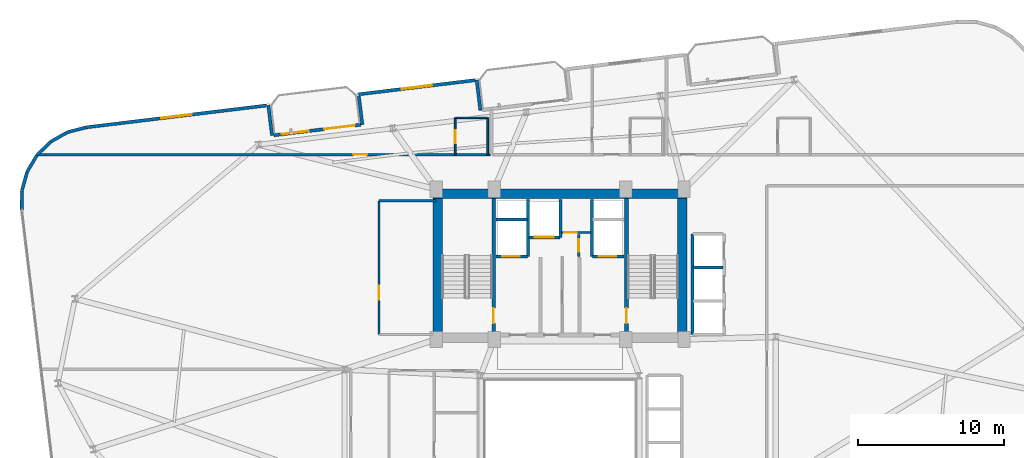
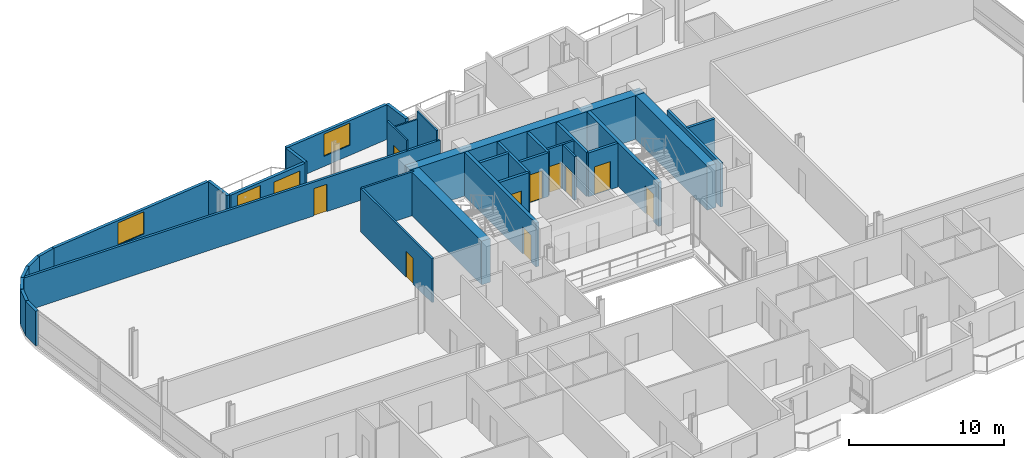
# One storey, part 17 of 23: 34 walls, 11 doors, 3 windows, 14 openings.
"""IFC4 building model written with IfcOpenShell, lengths in metres."""

from ifc_helpers import new_model, si_unit, direction, frame, frame_2d, origin, place, context, subcontext, project, spatial, rectangle, extrude, material, layer, layer_set, type_object, element, fill, save


model = new_model("IFC4")

# Units and contexts
model_context = context("Model", 3, precision=1e-05, world=origin(), true_north=direction((0.0, 1.0)))
body_context = subcontext(model_context, "Body", "Model", "MODEL_VIEW")
ifc_project = project(units=[si_unit("LENGTHUNIT", "METRE"), si_unit("AREAUNIT", "SQUARE_METRE"), si_unit("VOLUMEUNIT", "CUBIC_METRE"), si_unit("PLANEANGLEUNIT", "RADIAN"), si_unit("MASSUNIT", "GRAM", prefix="KILO")], contexts=[model_context])

# Site, building, storey
site_placement = place(None, origin())
site = spatial("IfcSite", under=ifc_project, at=site_placement, CompositionType="ELEMENT")
building_placement = place(site_placement, origin())
building = spatial("IfcBuilding", under=site, at=building_placement, Name="Varnelok Gate Tower", CompositionType="ELEMENT")
storey_placement = place(building_placement, frame((0.0, 0.0, 170.89990234375)))
storey = spatial("IfcBuildingStorey", under=building, at=storey_placement, Name="L43", CompositionType="ELEMENT", Elevation=170.89990234375)

# Wall, openings, door, window
ifc_material_1 = material(Name="Concrete C45/55", Category="concrete")
ifc_layer_1 = layer(ifc_material_1, 0.219970703125)
ifc_layer_set_1 = layer_set([ifc_layer_1], Name="Concrete C45/55")
wall_type_1 = type_object("IfcWallType", Name="EW-BALC-220", PredefinedType="SOLIDWALL", material=ifc_layer_set_1)
wall_1_placement = place(storey_placement, frame((19.556884765625, 42.7529296875, 0.0), z_axis=(0.0, 0.0, 1.0), x_axis=(0.992729951822, 0.120362962556, 0.0)))
wall_1 = element("IfcWall", 1, at=wall_1_placement, inside=storey, type_object=wall_type_1, Name="L43 North Terrace Envelope Wall 4", PredefinedType="SOLIDWALL", context=body_context, shape_type="SweptSolid", body=[
    extrude(rectangle(XDim=6.0, YDim=0.219970703125, at=frame_2d((3.0, 0.0))), origin(), (0.0, 0.0, 1.0), 2.72998046875),
])
opening_1_placement = place(wall_1_placement, frame((3.5, 0.0, 0.0)))
opening_1 = element("IfcOpeningElement", 2, at=opening_1_placement, cuts=wall_1, Name="Opening BD-2", PredefinedType="OPENING", context=body_context, shape_type="SweptSolid", body=[
    extrude(rectangle(XDim=2.10009765625, YDim=2.300048828125, at=frame_2d((1.050048828125, 1.14990234375))), frame((0.0, 0.119873046875, 0.0), z_axis=(0.0, -1.0, 0.0), x_axis=(1.0, 0.0, 0.0)), (0.0, 0.0, 1.0), 0.239990234375),
])
opening_2_placement = place(wall_1_placement, frame((0.550048828125, 0.0, 0.75)))
opening_2 = element("IfcOpeningElement", 3, at=opening_2_placement, cuts=wall_1, Name="Opening WN5", PredefinedType="OPENING", context=body_context, shape_type="SweptSolid", body=[
    extrude(rectangle(XDim=1.85009765625, YDim=1.75, at=frame_2d((0.925048828125, 0.875))), frame((0.0, 0.119873046875, 0.0), z_axis=(0.0, -1.0, 0.0), x_axis=(1.0, 0.0, 0.0)), (0.0, 0.0, 1.0), 0.239990234375),
])
ifc_material_2 = material(Name="Anodized Aluminum Alloy 6063-T6", Category="aluminium")
door_type_1 = type_object("IfcDoorType", Name="DR-EXT-SLID2100", OperationType="SLIDING_TO_LEFT", PredefinedType="DOOR", material=ifc_material_2)
door_1_placement = place(opening_1_placement, origin())
door_1 = element("IfcDoor", 4, at=door_1_placement, inside=storey, type_object=door_type_1, Name="L43 North Balcony Glazed Door 4", OperationType="SLIDING_TO_LEFT", OverallHeight=2.300048828125, OverallWidth=2.10009765625, PredefinedType="DOOR", context=body_context, shape_type="SweptSolid", body=[
    extrude(rectangle(XDim=2.10009765625, YDim=2.300048828125, at=frame_2d((1.050048828125, 1.14990234375))), frame((0.0, 0.02490234375, 0.0), z_axis=(0.0, -1.0, 0.0), x_axis=(1.0, 0.0, 0.0)), (0.0, 0.0, 1.0), 0.050048828125),
])
fill(opening_1, door_1)
ifc_material_3 = material(Name="Low-E Laminated Double Glazing IGU", Category="glass")
window_type_1 = type_object("IfcWindowType", Name="WN-RES-1850", PartitioningType="SINGLE_PANEL", PredefinedType="WINDOW", material=ifc_material_3)
window_1_placement = place(opening_2_placement, origin())
window_1 = element("IfcWindow", 5, at=window_1_placement, inside=storey, type_object=window_type_1, Name="L43 North Vision Window 4.1", OverallHeight=1.75, OverallWidth=1.85009765625, PartitioningType="SINGLE_PANEL", PredefinedType="WINDOW", context=body_context, shape_type="SweptSolid", body=[
    extrude(rectangle(XDim=1.85009765625, YDim=1.75, at=frame_2d((0.925048828125, 0.875))), frame((0.0, 0.030029296875, 0.0), z_axis=(0.0, -1.0, 0.0), x_axis=(1.0, 0.0, 0.0)), (0.0, 0.0, 1.0), 0.06005859375),
])
fill(opening_2, window_1)

# Wall
wall_2_placement = place(storey_placement, frame((33.734375, 44.46142578125, 0.0), z_axis=(0.0, 0.0, 1.0), x_axis=(-0.120327895535, 0.992734202874, 0.0)))
element("IfcWall", 6, at=wall_2_placement, inside=storey, type_object=wall_type_1, Name="L43 Perimeter Facade Closure Wall 34", PredefinedType="SOLIDWALL", context=body_context, shape_type="SweptSolid", body=[
    extrude(rectangle(XDim=2.099853515625, YDim=0.219970703125, at=frame_2d((1.0498046875, 0.0))), origin(), (0.0, 0.0, 1.0), 2.72998046875),
])

# Wall, opening, window
wall_3_placement = place(storey_placement, frame((33.357421875, 46.53125, 0.0), z_axis=(0.0, 0.0, 1.0), x_axis=(-0.992731032022, -0.120354052946, 0.0)))
wall_3 = element("IfcWall", 7, at=wall_3_placement, inside=storey, type_object=wall_type_1, Name="L43 Perimeter Facade Closure Wall 35", PredefinedType="SOLIDWALL", context=body_context, shape_type="SweptSolid", body=[
    extrude(rectangle(XDim=8.034912109375, YDim=0.219970703125, at=frame_2d((4.017578125, 0.0))), origin(), (0.0, 0.0, 1.0), 2.72998046875),
])
opening_3_placement = place(wall_3_placement, frame((2.967529296875, 0.0, 0.800048828125)))
opening_3 = element("IfcOpeningElement", 8, at=opening_3_placement, cuts=wall_3, Name="Opening WN4", PredefinedType="OPENING", context=body_context, shape_type="SweptSolid", body=[
    extrude(rectangle(XDim=2.10009765625, YDim=1.75, at=frame_2d((1.050048828125, 0.875))), frame((0.0, 0.119873046875, 0.0), z_axis=(0.0, -1.0, 0.0), x_axis=(1.0, 0.0, 0.0)), (0.0, 0.0, 1.0), 0.239990234375),
])
window_type_2 = type_object("IfcWindowType", Name="WN-SUI-2100", PartitioningType="SINGLE_PANEL", PredefinedType="WINDOW", material=ifc_material_3)
window_2_placement = place(opening_3_placement, origin())
window_2 = element("IfcWindow", 9, at=window_2_placement, inside=storey, type_object=window_type_2, Name="L43 Perimeter Vision Window 35", OverallHeight=1.75, OverallWidth=2.10009765625, PartitioningType="SINGLE_PANEL", PredefinedType="WINDOW", context=body_context, shape_type="SweptSolid", body=[
    extrude(rectangle(XDim=2.10009765625, YDim=1.75, at=frame_2d((1.050048828125, 0.875))), frame((0.0, 0.030029296875, 0.0), z_axis=(0.0, -1.0, 0.0), x_axis=(1.0, 0.0, 0.0)), (0.0, 0.0, 1.0), 0.06005859375),
])
fill(opening_3, window_2)

# Walls
wall_4_placement = place(storey_placement, frame((25.39599609375, 45.440185546875, 0.0), z_axis=(0.0, 0.0, 1.0), x_axis=(0.120275992932, -0.992740492538, 0.0)))
element("IfcWall", 10, at=wall_4_placement, inside=storey, type_object=wall_type_1, Name="L43 Perimeter Facade Closure Wall 36", PredefinedType="SOLIDWALL", context=body_context, shape_type="SweptSolid", body=[
    extrude(rectangle(XDim=1.97509765625, YDim=0.219970703125, at=frame_2d((0.987548828125, 0.0))), origin(), (0.0, 0.0, 1.0), 2.72998046875),
])
wall_5_placement = place(storey_placement, frame((19.43896484375, 42.728515625, 0.0), z_axis=(0.0, 0.0, 1.0), x_axis=(-0.120327895535, 0.992734202874, 0.0)))
element("IfcWall", 11, at=wall_5_placement, inside=storey, type_object=wall_type_1, Name="L43 Perimeter Facade Closure Wall 37", PredefinedType="SOLIDWALL", context=body_context, shape_type="SweptSolid", body=[
    extrude(rectangle(XDim=2.099853515625, YDim=0.219970703125, at=frame_2d((1.0498046875, 0.0))), origin(), (0.0, 0.0, 1.0), 2.72998046875),
])

# Wall, opening, window
wall_6_placement = place(storey_placement, frame((19.06201171875, 44.798095703125, 0.0), z_axis=(0.0, 0.0, 1.0), x_axis=(-0.992733569027, -0.120333124809, 0.0)))
wall_6 = element("IfcWall", 12, at=wall_6_placement, inside=storey, type_object=wall_type_1, Name="L43 Perimeter Facade Closure Wall 38", PredefinedType="SOLIDWALL", context=body_context, shape_type="SweptSolid", body=[
    extrude(rectangle(XDim=12.447021484375, YDim=0.219970703125, at=frame_2d((6.2236328125, 0.0))), origin(), (0.0, 0.0, 1.0), 2.72998046875),
])
opening_4_placement = place(wall_6_placement, frame((5.173583984375, 0.0, 0.800048828125)))
opening_4 = element("IfcOpeningElement", 13, at=opening_4_placement, cuts=wall_6, Name="Opening WN4", PredefinedType="OPENING", context=body_context, shape_type="SweptSolid", body=[
    extrude(rectangle(XDim=2.10009765625, YDim=1.75, at=frame_2d((1.050048828125, 0.875))), frame((0.0, 0.119873046875, 0.0), z_axis=(0.0, -1.0, 0.0), x_axis=(1.0, 0.0, 0.0)), (0.0, 0.0, 1.0), 0.239990234375),
])
window_3_placement = place(opening_4_placement, origin())
window_3 = element("IfcWindow", 14, at=window_3_placement, inside=storey, type_object=window_type_2, Name="L43 Perimeter Vision Window 38", OverallHeight=1.75, OverallWidth=2.10009765625, PartitioningType="SINGLE_PANEL", PredefinedType="WINDOW", context=body_context, shape_type="SweptSolid", body=[
    extrude(rectangle(XDim=2.10009765625, YDim=1.75, at=frame_2d((1.050048828125, 0.875))), frame((0.0, 0.030029296875, 0.0), z_axis=(0.0, -1.0, 0.0), x_axis=(1.0, 0.0, 0.0)), (0.0, 0.0, 1.0), 0.06005859375),
])
fill(opening_4, window_3)

# Walls
wall_7_placement = place(storey_placement, frame((6.68115234375, 43.294189453125, 0.0), z_axis=(0.0, 0.0, 1.0), x_axis=(-0.968496788899, -0.2490260426, 0.0)))
element("IfcWall", 15, at=wall_7_placement, inside=storey, type_object=wall_type_1, Name="L43 Perimeter Facade Closure Wall 39", PredefinedType="SOLIDWALL", context=body_context, shape_type="SweptSolid", body=[
    extrude(rectangle(XDim=1.308837890625, YDim=0.219970703125, at=frame_2d((0.654296875, 0.0))), origin(), (0.0, 0.0, 1.0), 2.72998046875),
])
for number, where, z_axis, x_axis, name in (
    (16, (5.391845703125, 42.9560546875, 0.0), (0.0, 0.0, 1.0), (-0.87105877335, -0.491178799797, 0.0), "L43 Perimeter Facade Closure Wall 40"),
    (17, (4.24072265625, 42.299560546875, 0.0), (0.0, 0.0, 1.0), (-0.714389219205, -0.699748557329, 0.0), "L43 Perimeter Facade Closure Wall 41"),
):
    element("IfcWall", number, at=place(storey_placement, frame(where, z_axis=z_axis, x_axis=x_axis)), inside=storey, type_object=wall_type_1, Name=name, PredefinedType="SOLIDWALL", context=body_context, shape_type="SweptSolid", body=[
        extrude(rectangle(XDim=1.30078125, YDim=0.219970703125, at=frame_2d((0.650390625, 0.0))), origin(), (0.0, 0.0, 1.0), 2.72998046875),
    ])
wall_8_placement = place(storey_placement, frame((3.298583984375, 41.367919921875, 0.0), z_axis=(0.0, 0.0, 1.0), x_axis=(-0.508716668029, -0.860933999601, 0.0)))
element("IfcWall", 18, at=wall_8_placement, inside=storey, type_object=wall_type_1, Name="L43 Perimeter Facade Closure Wall 42", PredefinedType="SOLIDWALL", context=body_context, shape_type="SweptSolid", body=[
    extrude(rectangle(XDim=1.301025390625, YDim=0.219970703125, at=frame_2d((0.650390625, 0.0))), origin(), (0.0, 0.0, 1.0), 2.72998046875),
])
for number, where, z_axis, x_axis, name in (
    (19, (2.630126953125, 40.223876953125, 0.0), (0.0, 0.0, 1.0), (-0.26876657226, -0.963205341366, 0.0), "L43 Perimeter Facade Closure Wall 43"),
    (20, (2.2802734375, 38.94580078125, 0.0), (0.0, 0.0, 1.0), (-0.01013461463, -0.999948643474, 0.0), "L43 Perimeter Facade Closure Wall 44"),
):
    element("IfcWall", number, at=place(storey_placement, frame(where, z_axis=z_axis, x_axis=x_axis)), inside=storey, type_object=wall_type_1, Name=name, PredefinedType="SOLIDWALL", context=body_context, shape_type="SweptSolid", body=[
        extrude(rectangle(XDim=1.30078125, YDim=0.219970703125, at=frame_2d((0.650390625, 0.0))), origin(), (0.0, 0.0, 1.0), 2.72998046875),
    ])

# Wall, opening, door
ifc_material_4 = material(Name="Gypsum Plasterboard Acoustic Partition", Category="gypsum")
ifc_layer_2 = layer(ifc_material_4, 0.179931640625)
ifc_layer_set_2 = layer_set([ifc_layer_2], Name="Gypsum Plasterboard Acoustic Partition")
wall_type_2 = type_object("IfcWallType", Name="PW-CORR-180", PredefinedType="PARTITIONING", material=ifc_layer_set_2)
wall_9_placement = place(storey_placement, frame((3.39306640625, 41.429931640625, 0.0), z_axis=(0.0, 0.0, 1.0), x_axis=(1.0, 0.0, 0.0)))
wall_9 = element("IfcWall", 21, at=wall_9_placement, inside=storey, type_object=wall_type_2, Name="Interior Partition", PredefinedType="PARTITIONING", context=body_context, shape_type="SweptSolid", body=[
    extrude(rectangle(XDim=31.02685546875, YDim=0.179931640625, at=frame_2d((15.513427734375, 0.0))), origin(), (0.0, 0.0, 1.0), 2.662109375),
])
opening_5_placement = place(wall_9_placement, frame((21.621337890625, 0.0, 0.0)))
opening_5 = element("IfcOpeningElement", 22, at=opening_5_placement, cuts=wall_9, Name="Opening D-HT", PredefinedType="OPENING", context=body_context, shape_type="SweptSolid", body=[
    extrude(rectangle(XDim=0.949951171875, YDim=2.14990234375, at=frame_2d((0.47509765625, 1.074951171875))), frame((0.0, 0.099853515625, 0.0), z_axis=(0.0, -1.0, 0.0), x_axis=(1.0, 0.0, 0.0)), (0.0, 0.0, 1.0), 0.199951171875),
])
ifc_material_5 = material(Name="Engineered Hardwood Timber", Category="wood")
door_type_2 = type_object("IfcDoorType", Name="DR-HTL-950", OperationType="NOTDEFINED", PredefinedType="DOOR", material=ifc_material_5)
door_2_placement = place(opening_5_placement, origin())
door_2 = element("IfcDoor", 23, at=door_2_placement, inside=storey, type_object=door_type_2, Name="L43 Guest Room 07 Entrance Door", OperationType="SINGLE_SWING_RIGHT", OverallHeight=2.14990234375, OverallWidth=0.949951171875, PredefinedType="DOOR", context=body_context, shape_type="SweptSolid", body=[
    extrude(rectangle(XDim=0.949951171875, YDim=2.14990234375, at=frame_2d((0.47509765625, 1.074951171875))), frame((0.0, 0.02490234375, 0.0), z_axis=(0.0, -1.0, 0.0), x_axis=(1.0, 0.0, 0.0)), (0.0, 0.0, 1.0), 0.050048828125),
])
fill(opening_5, door_2)

# Wall
ifc_layer_3 = layer(ifc_material_4, 0.114990234375)
ifc_layer_set_3 = layer_set([ifc_layer_3], Name="Gypsum Plasterboard Acoustic Partition")
wall_type_3 = type_object("IfcWallType", Name="PW-ENS-125", PredefinedType="PARTITIONING", material=ifc_layer_set_3)
wall_10_placement = place(storey_placement, frame((32.050048828125, 43.949951171875, 0.0), z_axis=(0.0, 0.0, 1.0), x_axis=(1.0, 0.0, 0.0)))
element("IfcWall", 24, at=wall_10_placement, inside=storey, type_object=wall_type_3, Name="Interior Partition", PredefinedType="PARTITIONING", context=body_context, shape_type="SweptSolid", body=[
    extrude(rectangle(XDim=2.14990234375, YDim=0.114990234375, at=frame_2d((1.074951171875, 0.0))), origin(), (0.0, 0.0, 1.0), 2.82421875),
])

# Wall, opening, door
wall_11_placement = place(storey_placement, frame((32.010009765625, 41.429931640625, 0.0), z_axis=(0.0, 0.0, 1.0), x_axis=(0.0, 1.0, 0.0)))
wall_11 = element("IfcWall", 25, at=wall_11_placement, inside=storey, type_object=wall_type_3, Name="Interior Partition", PredefinedType="PARTITIONING", context=body_context, shape_type="SweptSolid", body=[
    extrude(rectangle(XDim=2.52001953125, YDim=0.114990234375, at=frame_2d((1.260009765625, 0.0))), origin(), (0.0, 0.0, 1.0), 3.4501953125),
])
opening_6_placement = place(wall_11_placement, frame((0.760009765625, 0.0, 0.0)))
opening_6 = element("IfcOpeningElement", 26, at=opening_6_placement, cuts=wall_11, Name="Opening D-WC", PredefinedType="OPENING", context=body_context, shape_type="SweptSolid", body=[
    extrude(rectangle(XDim=0.89990234375, YDim=2.050048828125, at=frame_2d((0.449951171875, 1.02490234375))), frame((0.0, 0.0673828125, 0.0), z_axis=(0.0, -1.0, 0.0), x_axis=(1.0, 0.0, 0.0)), (0.0, 0.0, 1.0), 0.135009765625),
])
door_type_3 = type_object("IfcDoorType", Name="DR-BATH-900", OperationType="NOTDEFINED", PredefinedType="DOOR", material=ifc_material_5)
door_3_placement = place(opening_6_placement, origin())
door_3 = element("IfcDoor", 27, at=door_3_placement, inside=storey, type_object=door_type_3, Name="L43 North En-Suite 07 Door", OperationType="SINGLE_SWING_LEFT", OverallHeight=2.050048828125, OverallWidth=0.89990234375, PredefinedType="DOOR", context=body_context, shape_type="SweptSolid", body=[
    extrude(rectangle(XDim=0.89990234375, YDim=2.050048828125, at=frame_2d((0.449951171875, 1.02490234375))), frame((0.0, 0.02490234375, 0.0), z_axis=(0.0, -1.0, 0.0), x_axis=(1.0, 0.0, 0.0)), (0.0, 0.0, 1.0), 0.050048828125),
])
fill(opening_6, door_3)

# Wall
wall_12_placement = place(storey_placement, frame((34.239990234375, 41.429931640625, 0.0), z_axis=(0.0, 0.0, 1.0), x_axis=(0.0, 1.0, 0.0)))
element("IfcWall", 28, at=wall_12_placement, inside=storey, type_object=wall_type_3, Name="Interior Partition", PredefinedType="PARTITIONING", context=body_context, shape_type="SweptSolid", body=[
    extrude(rectangle(XDim=2.52001953125, YDim=0.114990234375, at=frame_2d((1.260009765625, 0.0))), origin(), (0.0, 0.0, 1.0), 3.4501953125),
])

# Wall, opening, door
ifc_layer_4 = layer(ifc_material_4, 0.14990234375)
ifc_layer_set_4 = layer_set([ifc_layer_4], Name="Gypsum Plasterboard Acoustic Partition")
wall_type_4 = type_object("IfcWallType", Name="PW-PART-150", PredefinedType="PARTITIONING", material=ifc_layer_set_4)
wall_13_placement = place(storey_placement, frame((39.300048828125, 36.080078125, 0.0), z_axis=(0.0, 0.0, 1.0), x_axis=(1.0, 0.0, 0.0)))
wall_13 = element("IfcWall", 29, at=wall_13_placement, inside=storey, type_object=wall_type_4, Name="L43 Electrical Closet South Wall", PredefinedType="PARTITIONING", context=body_context, shape_type="SweptSolid", body=[
    extrude(rectangle(XDim=2.02001953125, YDim=0.14990234375, at=frame_2d((1.010009765625, 0.0))), origin(), (0.0, 0.0, 1.0), 3.4501953125),
])
opening_7_placement = place(wall_13_placement, frame((0.179931640625, 0.0, 0.0)))
opening_7 = element("IfcOpeningElement", 30, at=opening_7_placement, cuts=wall_13, Name="Opening D-RS", PredefinedType="OPENING", context=body_context, shape_type="SweptSolid", body=[
    extrude(rectangle(XDim=0.85009765625, YDim=2.050048828125, at=frame_2d((0.425048828125, 1.02490234375))), frame((0.0, 0.0849609375, 0.0), z_axis=(0.0, -1.0, 0.0), x_axis=(1.0, 0.0, 0.0)), (0.0, 0.0, 1.0), 0.169921875),
])
ifc_material_6 = material(Name="Galvanized Steel Grade S350GD", Category="steel")
door_type_4 = type_object("IfcDoorType", Name="DR-RISER-850", OperationType="NOTDEFINED", PredefinedType="DOOR", material=ifc_material_6)
door_4_placement = place(opening_7_placement, origin())
door_4 = element("IfcDoor", 31, at=door_4_placement, inside=storey, type_object=door_type_4, Name="L43 Electrical Closet Door", OperationType="SINGLE_SWING_RIGHT", OverallHeight=2.050048828125, OverallWidth=0.85009765625, PredefinedType="DOOR", context=body_context, shape_type="SweptSolid", body=[
    extrude(rectangle(XDim=0.85009765625, YDim=2.050048828125, at=frame_2d((0.425048828125, 1.02490234375))), frame((0.0, 0.02490234375, 0.0), z_axis=(0.0, -1.0, 0.0), x_axis=(1.0, 0.0, 0.0)), (0.0, 0.0, 1.0), 0.050048828125),
])
fill(opening_7, door_4)

wall_14_placement = place(storey_placement, frame((40.47998046875, 34.43994140625, 0.0), z_axis=(0.0, 0.0, 1.0), x_axis=(0.0, 1.0, 0.0)))
wall_14 = element("IfcWall", 32, at=wall_14_placement, inside=storey, type_object=wall_type_4, Name="L43 Telecoms Closet West Wall", PredefinedType="PARTITIONING", context=body_context, shape_type="SweptSolid", body=[
    extrude(rectangle(XDim=1.52001953125, YDim=0.14990234375, at=frame_2d((0.760009765625, 0.0))), origin(), (0.0, 0.0, 1.0), 3.4501953125),
])
opening_8_placement = place(wall_14_placement, frame((0.320068359375, 0.0, 0.0)))
opening_8 = element("IfcOpeningElement", 33, at=opening_8_placement, cuts=wall_14, Name="Opening D-RS", PredefinedType="OPENING", context=body_context, shape_type="SweptSolid", body=[
    extrude(rectangle(XDim=0.85009765625, YDim=2.050048828125, at=frame_2d((0.425048828125, 1.02490234375))), frame((0.0, 0.0849609375, 0.0), z_axis=(0.0, -1.0, 0.0), x_axis=(1.0, 0.0, 0.0)), (0.0, 0.0, 1.0), 0.169921875),
])
door_5_placement = place(opening_8_placement, origin())
door_5 = element("IfcDoor", 34, at=door_5_placement, inside=storey, type_object=door_type_4, Name="L43 Telecoms Closet Door", OperationType="SINGLE_SWING_LEFT", OverallHeight=2.050048828125, OverallWidth=0.85009765625, PredefinedType="DOOR", context=body_context, shape_type="SweptSolid", body=[
    extrude(rectangle(XDim=0.85009765625, YDim=2.050048828125, at=frame_2d((0.425048828125, 1.02490234375))), frame((0.0, 0.02490234375, 0.0), z_axis=(0.0, -1.0, 0.0), x_axis=(1.0, 0.0, 0.0)), (0.0, 0.0, 1.0), 0.050048828125),
])
fill(opening_8, door_5)

# Wall
wall_15_placement = place(storey_placement, frame((26.780029296875, 38.260009765625, 0.0), z_axis=(0.0, 0.0, 1.0), x_axis=(1.0, 0.0, 0.0)))
element("IfcWall", 35, at=wall_15_placement, inside=storey, type_object=wall_type_4, Name="Interior Partition", PredefinedType="PARTITIONING", context=body_context, shape_type="SweptSolid", body=[
    extrude(rectangle(XDim=3.89990234375, YDim=0.14990234375, at=frame_2d((1.949951171875, 0.0))), origin(), (0.0, 0.0, 1.0), 3.4501953125),
])

# Wall, opening, door
wall_16_placement = place(storey_placement, frame((26.780029296875, 29.080078125, 0.0), z_axis=(0.0, 0.0, 1.0), x_axis=(0.0, 1.0, 0.0)))
wall_16 = element("IfcWall", 36, at=wall_16_placement, inside=storey, type_object=wall_type_4, Name="Interior Partition", PredefinedType="PARTITIONING", context=body_context, shape_type="SweptSolid", body=[
    extrude(rectangle(XDim=9.179931640625, YDim=0.14990234375, at=frame_2d((4.58984375, 0.0))), origin(), (0.0, 0.0, 1.0), 3.4501953125),
])
opening_9_placement = place(wall_16_placement, frame((2.39990234375, 0.0, 0.0)))
opening_9 = element("IfcOpeningElement", 37, at=opening_9_placement, cuts=wall_16, Name="Opening D-I2", PredefinedType="OPENING", context=body_context, shape_type="SweptSolid", body=[
    extrude(rectangle(XDim=0.949951171875, YDim=2.050048828125, at=frame_2d((0.47509765625, 1.02490234375))), frame((0.0, 0.0849609375, 0.0), z_axis=(0.0, -1.0, 0.0), x_axis=(1.0, 0.0, 0.0)), (0.0, 0.0, 1.0), 0.169921875),
])
door_type_5 = type_object("IfcDoorType", Name="DR-INT-950", OperationType="NOTDEFINED", PredefinedType="DOOR", material=ifc_material_5)
door_6_placement = place(opening_9_placement, origin())
door_6 = element("IfcDoor", 38, at=door_6_placement, inside=storey, type_object=door_type_5, Name="L43 Reclaimed Housekeeping Door", OperationType="SINGLE_SWING_RIGHT", OverallHeight=2.050048828125, OverallWidth=0.949951171875, PredefinedType="DOOR", context=body_context, shape_type="SweptSolid", body=[
    extrude(rectangle(XDim=0.949951171875, YDim=2.050048828125, at=frame_2d((0.47509765625, 1.02490234375))), frame((0.0, 0.02490234375, 0.0), z_axis=(0.0, -1.0, 0.0), x_axis=(1.0, 0.0, 0.0)), (0.0, 0.0, 1.0), 0.050048828125),
])
fill(opening_9, door_6)

ifc_material_7 = material(Name="Concrete C35/45", Category="concrete")
ifc_layer_5 = layer(ifc_material_7, 0.199951171875)
ifc_layer_set_5 = layer_set([ifc_layer_5], Name="Concrete C35/45")
wall_type_5 = type_object("IfcWallType", Name="PW-SHAFT-200", PredefinedType="PARTITIONING", material=ifc_layer_set_5)
wall_17_placement = place(storey_placement, frame((34.800048828125, 34.43994140625, 0.0), z_axis=(0.0, 0.0, 1.0), x_axis=(1.0, 0.0, 0.0)))
wall_17 = element("IfcWall", 39, at=wall_17_placement, inside=storey, type_object=wall_type_5, Name="L43 FF1 Shaft Front Wall", PredefinedType="PARTITIONING", context=body_context, shape_type="SweptSolid", body=[
    extrude(rectangle(XDim=2.179931640625, YDim=0.199951171875, at=frame_2d((1.08984375, 0.0))), origin(), (0.0, 0.0, 1.0), 3.4501953125),
])
opening_10_placement = place(wall_17_placement, frame((0.419921875, 0.0, 0.0)))
opening_10 = element("IfcOpeningElement", 40, at=opening_10_placement, cuts=wall_17, Name="Opening LD-FF1", PredefinedType="OPENING", context=body_context, shape_type="SweptSolid", body=[
    extrude(rectangle(XDim=1.199951171875, YDim=2.199951171875, at=frame_2d((0.60009765625, 1.10009765625))), frame((0.0, 0.10986328125, 0.0), z_axis=(0.0, -1.0, 0.0), x_axis=(1.0, 0.0, 0.0)), (0.0, 0.0, 1.0), 0.219970703125),
])
door_type_6 = type_object("IfcDoorType", Name="DR-LIFT-FF1200", OperationType="SLIDING_TO_LEFT", PredefinedType="DOOR", material=ifc_material_6)
door_7_placement = place(opening_10_placement, origin())
door_7 = element("IfcDoor", 41, at=door_7_placement, inside=storey, type_object=door_type_6, Name="L43 Firefighting Lift Landing Door LD-FF1", OperationType="SLIDING_TO_LEFT", OverallHeight=2.199951171875, OverallWidth=1.199951171875, PredefinedType="DOOR", context=body_context, shape_type="SweptSolid", body=[
    extrude(rectangle(XDim=1.199951171875, YDim=2.199951171875, at=frame_2d((0.60009765625, 1.10009765625))), frame((0.0, 0.02490234375, 0.0), z_axis=(0.0, -1.0, 0.0), x_axis=(1.0, 0.0, 0.0)), (0.0, 0.0, 1.0), 0.050048828125),
])
fill(opening_10, door_7)

# Walls
wall_18_placement = place(storey_placement, frame((34.800048828125, 36.97998046875, 0.0), z_axis=(0.0, 0.0, 1.0), x_axis=(1.0, 0.0, 0.0)))
element("IfcWall", 42, at=wall_18_placement, inside=storey, type_object=wall_type_5, Name="L43 FF1 Shaft North Wall", PredefinedType="PARTITIONING", context=body_context, shape_type="SweptSolid", body=[
    extrude(rectangle(XDim=2.179931640625, YDim=0.199951171875, at=frame_2d((1.08984375, 0.0))), origin(), (0.0, 0.0, 1.0), 3.4501953125),
])
wall_19_placement = place(storey_placement, frame((37.0, 34.43994140625, 0.0), z_axis=(0.0, 0.0, 1.0), x_axis=(0.0, 1.0, 0.0)))
element("IfcWall", 43, at=wall_19_placement, inside=storey, type_object=wall_type_5, Name="L43 FF1 Shaft Side Wall", PredefinedType="PARTITIONING", context=body_context, shape_type="SweptSolid", body=[
    extrude(rectangle(XDim=3.900146484375, YDim=0.199951171875, at=frame_2d((1.9501953125, 0.0))), origin(), (0.0, 0.0, 1.0), 3.4501953125),
])

# Wall, opening, door
wall_20_placement = place(storey_placement, frame((41.419921875, 34.43994140625, 0.0), z_axis=(0.0, 0.0, 1.0), x_axis=(1.0, 0.0, 0.0)))
wall_20 = element("IfcWall", 44, at=wall_20_placement, inside=storey, type_object=wall_type_5, Name="L43 FF2 Shaft Front Wall", PredefinedType="PARTITIONING", context=body_context, shape_type="SweptSolid", body=[
    extrude(rectangle(XDim=2.18017578125, YDim=0.199951171875, at=frame_2d((1.090087890625, 0.0))), origin(), (0.0, 0.0, 1.0), 3.4501953125),
])
opening_11_placement = place(wall_20_placement, frame((0.419921875, 0.0, 0.0)))
opening_11 = element("IfcOpeningElement", 45, at=opening_11_placement, cuts=wall_20, Name="Opening LD-FF2", PredefinedType="OPENING", context=body_context, shape_type="SweptSolid", body=[
    extrude(rectangle(XDim=1.199951171875, YDim=2.199951171875, at=frame_2d((0.60009765625, 1.10009765625))), frame((0.0, 0.10986328125, 0.0), z_axis=(0.0, -1.0, 0.0), x_axis=(1.0, 0.0, 0.0)), (0.0, 0.0, 1.0), 0.219970703125),
])
door_8_placement = place(opening_11_placement, origin())
door_8 = element("IfcDoor", 46, at=door_8_placement, inside=storey, type_object=door_type_6, Name="L43 Firefighting Lift Landing Door LD-FF2", OperationType="SLIDING_TO_LEFT", OverallHeight=2.199951171875, OverallWidth=1.199951171875, PredefinedType="DOOR", context=body_context, shape_type="SweptSolid", body=[
    extrude(rectangle(XDim=1.199951171875, YDim=2.199951171875, at=frame_2d((0.60009765625, 1.10009765625))), frame((0.0, 0.02490234375, 0.0), z_axis=(0.0, -1.0, 0.0), x_axis=(1.0, 0.0, 0.0)), (0.0, 0.0, 1.0), 0.050048828125),
])
fill(opening_11, door_8)

# Wall
wall_21_placement = place(storey_placement, frame((41.39990234375, 34.43994140625, 0.0), z_axis=(0.0, 0.0, 1.0), x_axis=(0.0, 1.0, 0.0)))
element("IfcWall", 47, at=wall_21_placement, inside=storey, type_object=wall_type_5, Name="L43 FF2 Shaft Side Wall", PredefinedType="PARTITIONING", context=body_context, shape_type="SweptSolid", body=[
    extrude(rectangle(XDim=3.900146484375, YDim=0.199951171875, at=frame_2d((1.9501953125, 0.0))), origin(), (0.0, 0.0, 1.0), 3.4501953125),
])

# Wall, opening, door
wall_22_placement = place(storey_placement, frame((37.06005859375, 35.75, 0.0), z_axis=(0.0, 0.0, 1.0), x_axis=(1.0, 0.0, 0.0)))
wall_22 = element("IfcWall", 48, at=wall_22_placement, inside=storey, type_object=wall_type_5, Name="L43 SV1 Shaft Front Wall", PredefinedType="PARTITIONING", context=body_context, shape_type="SweptSolid", body=[
    extrude(rectangle(XDim=2.119873046875, YDim=0.199951171875, at=frame_2d((1.06005859375, 0.0))), origin(), (0.0, 0.0, 1.0), 3.4501953125),
])
opening_12_placement = place(wall_22_placement, frame((0.39990234375, 0.0, 0.0)))
opening_12 = element("IfcOpeningElement", 49, at=opening_12_placement, cuts=wall_22, Name="Opening LD-SV1", PredefinedType="OPENING", context=body_context, shape_type="SweptSolid", body=[
    extrude(rectangle(XDim=1.300048828125, YDim=2.199951171875, at=frame_2d((0.64990234375, 1.10009765625))), frame((0.0, 0.10986328125, 0.0), z_axis=(0.0, -1.0, 0.0), x_axis=(1.0, 0.0, 0.0)), (0.0, 0.0, 1.0), 0.219970703125),
])
door_type_7 = type_object("IfcDoorType", Name="DR-LIFT-SV1300", OperationType="SLIDING_TO_LEFT", PredefinedType="DOOR", material=ifc_material_6)
door_9_placement = place(opening_12_placement, origin())
door_9 = element("IfcDoor", 50, at=door_9_placement, inside=storey, type_object=door_type_7, Name="L43 Service Lift Landing Door LD-SV1", OperationType="SLIDING_TO_LEFT", OverallHeight=2.199951171875, OverallWidth=1.300048828125, PredefinedType="DOOR", context=body_context, shape_type="SweptSolid", body=[
    extrude(rectangle(XDim=1.300048828125, YDim=2.199951171875, at=frame_2d((0.64990234375, 1.10009765625))), frame((0.0, 0.02490234375, 0.0), z_axis=(0.0, -1.0, 0.0), x_axis=(1.0, 0.0, 0.0)), (0.0, 0.0, 1.0), 0.050048828125),
])
fill(opening_12, door_9)

# Walls
wall_23_placement = place(storey_placement, frame((39.219970703125, 35.75, 0.0), z_axis=(0.0, 0.0, 1.0), x_axis=(0.0, 1.0, 0.0)))
element("IfcWall", 51, at=wall_23_placement, inside=storey, type_object=wall_type_5, Name="L43 SV1 Shaft East Wall", PredefinedType="PARTITIONING", context=body_context, shape_type="SweptSolid", body=[
    extrude(rectangle(XDim=2.590087890625, YDim=0.199951171875, at=frame_2d((1.294921875, 0.0))), origin(), (0.0, 0.0, 1.0), 3.4501953125),
])
wall_24_placement = place(storey_placement, frame((48.320068359375, 33.675048828125, 0.0), z_axis=(0.0, 0.0, 1.0), x_axis=(1.0, 0.0, 0.0)))
element("IfcWall", 52, at=wall_24_placement, inside=storey, type_object=wall_type_5, Name="L43 PM2 Divider", PredefinedType="PARTITIONING", context=body_context, shape_type="SweptSolid", body=[
    extrude(rectangle(XDim=2.059814453125, YDim=0.199951171875, at=frame_2d((1.02978515625, 0.0))), origin(), (0.0, 0.0, 1.0), 3.4501953125),
])
wall_25_placement = place(storey_placement, frame((48.280029296875, 29.080078125, 0.0), z_axis=(0.0, 0.0, 1.0), x_axis=(0.0, 1.0, 0.0)))
element("IfcWall", 53, at=wall_25_placement, inside=storey, type_object=wall_type_5, Name="L43 PM Bank Back Wall", PredefinedType="PARTITIONING", context=body_context, shape_type="SweptSolid", body=[
    extrude(rectangle(XDim=6.889892578125, YDim=0.199951171875, at=frame_2d((3.44482421875, 0.0))), origin(), (0.0, 0.0, 1.0), 3.4501953125),
])
ifc_material_8 = material(Name="Concrete C60/75", Category="concrete")
ifc_layer_6 = layer(ifc_material_8, 0.64990234375)
ifc_layer_set_6 = layer_set([ifc_layer_6], Name="Concrete C60/75")
wall_type_6 = type_object("IfcWallType", Name="SW-CORE-650", PredefinedType="SHEAR", material=ifc_layer_set_6)
wall_26_placement = place(storey_placement, frame((30.47998046875, 38.7451171875, 0.0), z_axis=(0.0, 0.0, 1.0), x_axis=(1.0, 0.0, 0.0)))
element("IfcWall", 54, at=wall_26_placement, inside=storey, type_object=wall_type_6, Name="L43 Rear Core North Shear Wall", PredefinedType="SHEAR", context=body_context, shape_type="SweptSolid", body=[
    extrude(rectangle(XDim=17.43994140625, YDim=0.64990234375, at=frame_2d((8.719970703125, 0.0))), origin(), (0.0, 0.0, 1.0), 3.4501953125),
])
for number, where, z_axis, x_axis, name in (
    (55, (30.804931640625, 29.199951171875, 0.0), (0.0, 0.0, 1.0), (0.0, 1.0, 0.0), "L43 Rear Core West Shear Wall"),
    (56, (47.594970703125, 29.199951171875, 0.0), (0.0, 0.0, 1.0), (0.0, 1.0, 0.0), "L43 Rear Core East Shear Wall"),
):
    element("IfcWall", number, at=place(storey_placement, frame(where, z_axis=z_axis, x_axis=x_axis)), inside=storey, type_object=wall_type_6, Name=name, PredefinedType="SHEAR", context=body_context, shape_type="SweptSolid", body=[
        extrude(rectangle(XDim=9.219970703125, YDim=0.64990234375, at=frame_2d((4.60986328125, 0.0))), origin(), (0.0, 0.0, 1.0), 3.4501953125),
    ])

# Wall, opening, door
ifc_layer_7 = layer(ifc_material_8, 0.25)
ifc_layer_set_7 = layer_set([ifc_layer_7], Name="Concrete C60/75")
wall_type_7 = type_object("IfcWallType", Name="SW-SHAFT-250", PredefinedType="SHEAR", material=ifc_layer_set_7)
wall_27_placement = place(storey_placement, frame((34.639892578125, 29.199951171875, 0.0), z_axis=(0.0, 0.0, 1.0), x_axis=(0.0, 1.0, 0.0)))
wall_27 = element("IfcWall", 57, at=wall_27_placement, inside=storey, type_object=wall_type_7, Name="L43 Stair ST-1 East Shear Wall", PredefinedType="SHEAR", context=body_context, shape_type="SweptSolid", body=[
    extrude(rectangle(XDim=9.219970703125, YDim=0.25, at=frame_2d((4.60986328125, 0.0))), origin(), (0.0, 0.0, 1.0), 3.4501953125),
])
opening_13_placement = place(wall_27_placement, frame((0.64990234375, 0.0, 0.0)))
opening_13 = element("IfcOpeningElement", 58, at=opening_13_placement, cuts=wall_27, Name="Opening D-ST", PredefinedType="OPENING", context=body_context, shape_type="SweptSolid", body=[
    extrude(rectangle(XDim=1.050048828125, YDim=2.14990234375, at=frame_2d((0.52490234375, 1.074951171875))), frame((0.0, 0.135009765625, 0.0), z_axis=(0.0, -1.0, 0.0), x_axis=(1.0, 0.0, 0.0)), (0.0, 0.0, 1.0), 0.27001953125),
])
door_type_8 = type_object("IfcDoorType", Name="DR-STAIR-1050", OperationType="NOTDEFINED", PredefinedType="DOOR", material=ifc_material_6)
door_10_placement = place(opening_13_placement, origin())
door_10 = element("IfcDoor", 59, at=door_10_placement, inside=storey, type_object=door_type_8, Name="L43 Exit Stair ST-1 Fire Door", OperationType="SINGLE_SWING_LEFT", OverallHeight=2.14990234375, OverallWidth=1.050048828125, PredefinedType="DOOR", context=body_context, shape_type="SweptSolid", body=[
    extrude(rectangle(XDim=1.050048828125, YDim=2.14990234375, at=frame_2d((0.52490234375, 1.074951171875))), frame((0.0, 0.02490234375, 0.0), z_axis=(0.0, -1.0, 0.0), x_axis=(1.0, 0.0, 0.0)), (0.0, 0.0, 1.0), 0.050048828125),
])
fill(opening_13, door_10)

wall_28_placement = place(storey_placement, frame((43.760009765625, 29.199951171875, 0.0), z_axis=(0.0, 0.0, 1.0), x_axis=(0.0, 1.0, 0.0)))
wall_28 = element("IfcWall", 60, at=wall_28_placement, inside=storey, type_object=wall_type_7, Name="L43 Stair ST-2 West Shear Wall", PredefinedType="SHEAR", context=body_context, shape_type="SweptSolid", body=[
    extrude(rectangle(XDim=9.219970703125, YDim=0.25, at=frame_2d((4.60986328125, 0.0))), origin(), (0.0, 0.0, 1.0), 3.4501953125),
])
opening_14_placement = place(wall_28_placement, frame((0.64990234375, 0.0, 0.0)))
opening_14 = element("IfcOpeningElement", 61, at=opening_14_placement, cuts=wall_28, Name="Opening D-ST", PredefinedType="OPENING", context=body_context, shape_type="SweptSolid", body=[
    extrude(rectangle(XDim=1.050048828125, YDim=2.14990234375, at=frame_2d((0.52490234375, 1.074951171875))), frame((0.0, 0.135009765625, 0.0), z_axis=(0.0, -1.0, 0.0), x_axis=(1.0, 0.0, 0.0)), (0.0, 0.0, 1.0), 0.27001953125),
])
door_11_placement = place(opening_14_placement, origin())
door_11 = element("IfcDoor", 62, at=door_11_placement, inside=storey, type_object=door_type_8, Name="L43 Exit Stair ST-2 Fire Door", OperationType="SINGLE_SWING_RIGHT", OverallHeight=2.14990234375, OverallWidth=1.050048828125, PredefinedType="DOOR", context=body_context, shape_type="SweptSolid", body=[
    extrude(rectangle(XDim=1.050048828125, YDim=2.14990234375, at=frame_2d((0.52490234375, 1.074951171875))), frame((0.0, 0.02490234375, 0.0), z_axis=(0.0, -1.0, 0.0), x_axis=(1.0, 0.0, 0.0)), (0.0, 0.0, 1.0), 0.050048828125),
])
fill(opening_14, door_11)

save(model, "model.ifc")
